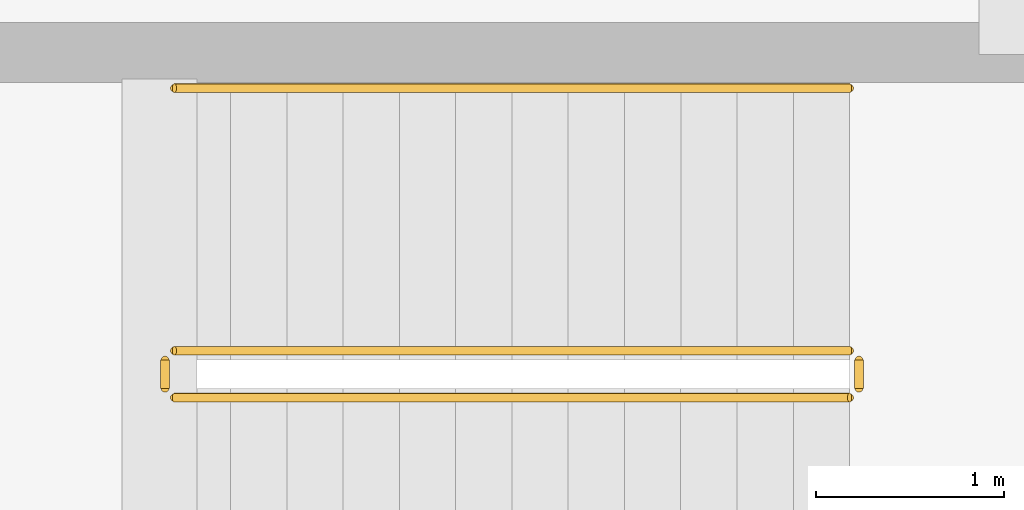
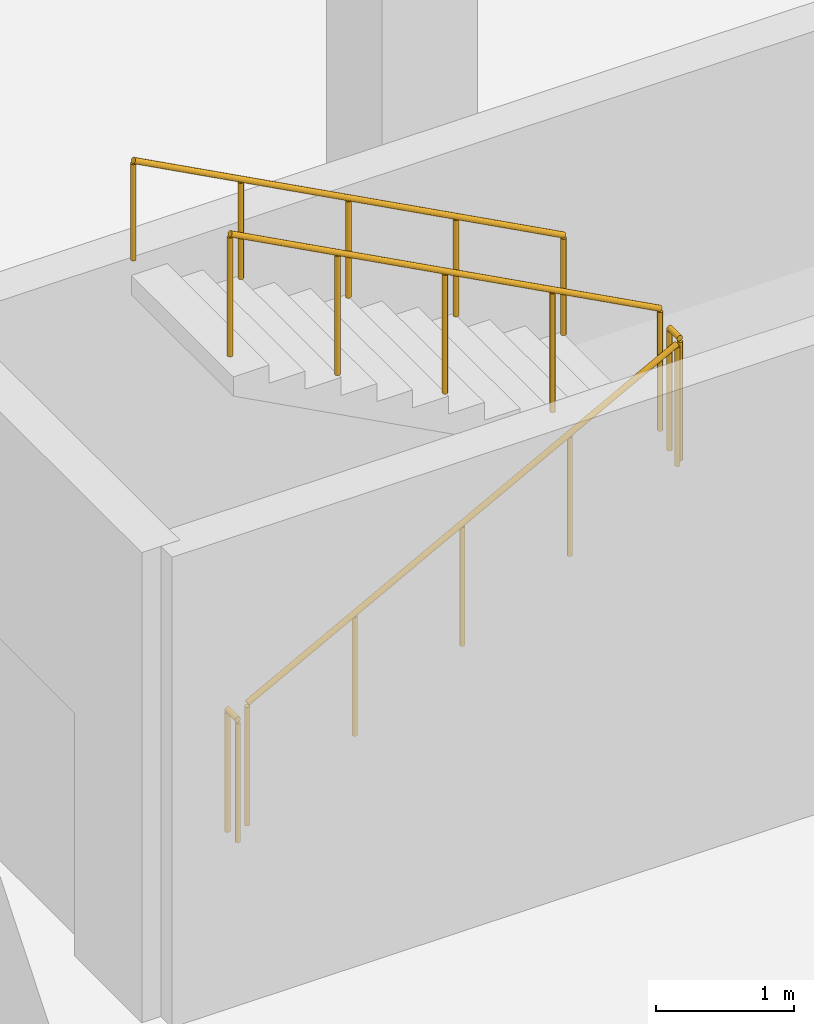
# One storey, part 176 of 177: 5 railings.
"""IFC4 building model written with IfcOpenShell, lengths in metres."""

import ifcopenshell
import ifcopenshell.guid

model = None  # the IFC model being written
_history = None  # IfcOwnerHistory: only IFC2X3 demands one
_inside = {}  # id of a spatial element -> (the spatial element, [elements in it])
_under = {}  # id of a project, library or spatial element -> (it, [spatial elements below it])
_declared = {}  # id of a project -> (the project, [libraries it declares])
_typed = {}  # id of a type object -> (the type object, [elements of that type])
_made_of = {}  # id of a material, layer set ... -> (it, [elements and type objects made of it])


def new_model(schema):
    """Start an empty IFC model of exactly this schema.

    Asked for "IFC4X3", IfcOpenShell would pick the latest addendum, in which some entities
    have other attributes; the version numbers below select the first issue.
    IFC2X3 requires an IfcOwnerHistory on every rooted entity: one is made here for all.
    """
    global model, _history
    if schema == "IFC4X3":
        model = ifcopenshell.file(schema_version=(4, 3, 0, 0))
    else:
        model = ifcopenshell.file(schema=schema)
    _inside.clear()
    _under.clear()
    _declared.clear()
    _typed.clear()
    _made_of.clear()
    _history = None
    if model.schema == "IFC2X3":
        org = make("IfcOrganization", Name="unknown")
        user = make(
            "IfcPersonAndOrganization",
            ThePerson=make("IfcPerson", FamilyName="unknown"),
            TheOrganization=org,
        )
        app = make(
            "IfcApplication",
            ApplicationDeveloper=org,
            Version="unknown",
            ApplicationFullName="unknown",
            ApplicationIdentifier="unknown",
        )
        _history = make(
            "IfcOwnerHistory",
            OwningUser=user,
            OwningApplication=app,
            ChangeAction="ADDED",
            CreationDate=0,
        )
    return model


def make(cls, **values):
    """One entity of the class cls with the attributes given. An attribute that is None is left unset."""
    return model.create_entity(
        cls, **{name: value for name, value in values.items() if value is not None}
    )


def rooted(cls, **values):
    """An entity with a GlobalId (a new one), such as an element, a storey or a relation."""
    return make(cls, GlobalId=ifcopenshell.guid.new(), OwnerHistory=_history, **values)


def si_unit(unit_type, name, prefix=None):
    """IfcSIUnit, for example si_unit("LENGTHUNIT", "METRE", prefix="MILLI")."""
    return make("IfcSIUnit", UnitType=unit_type, Prefix=prefix, Name=name)


def assignment(units):
    """IfcUnitAssignment: the units of a project."""
    return None if units is None else make("IfcUnitAssignment", Units=units)


def point(xyz):
    """IfcCartesianPoint."""
    return None if xyz is None else make("IfcCartesianPoint", Coordinates=xyz)


def direction(xyz):
    """IfcDirection."""
    return None if xyz is None else make("IfcDirection", DirectionRatios=xyz)


def frame(location, z_axis=None, x_axis=None):
    """IfcAxis2Placement3D, a coordinate frame: its origin and axes. An axis left out is left unset."""
    return make(
        "IfcAxis2Placement3D",
        Location=point(location),
        Axis=direction(z_axis),
        RefDirection=direction(x_axis),
    )


def frame_2d(location, x_axis=None):
    """IfcAxis2Placement2D, a coordinate frame in the plane: its origin and x axis."""
    return make(
        "IfcAxis2Placement2D", Location=point(location), RefDirection=direction(x_axis)
    )


def origin():
    """The frame at (0, 0, 0) with its axes left unset."""
    return frame((0.0, 0.0, 0.0))


def origin_2d():
    """The frame at (0, 0) in the plane with its x axis left unset."""
    return frame_2d((0.0, 0.0))


def place(relative_to, where):
    """IfcLocalPlacement: puts the frame where relative to a parent placement (None: the world)."""
    return make(
        "IfcLocalPlacement", PlacementRelTo=relative_to, RelativePlacement=where
    )


def context(
    kind, dimensions, precision=None, world=None, true_north=None, identifier=None
):
    """IfcGeometricRepresentationContext, for example the 3D "Model" context."""
    return make(
        "IfcGeometricRepresentationContext",
        ContextIdentifier=identifier,
        ContextType=kind,
        CoordinateSpaceDimension=dimensions,
        Precision=precision,
        WorldCoordinateSystem=world,
        TrueNorth=true_north,
    )


def subcontext(parent, identifier, kind, view, scale=None):
    """IfcGeometricRepresentationSubContext, for example "Body" below "Model"."""
    return make(
        "IfcGeometricRepresentationSubContext",
        ContextIdentifier=identifier,
        ContextType=kind,
        ParentContext=parent,
        TargetScale=scale,
        TargetView=view,
    )


def project(units=None, contexts=None):
    """IfcProject with its units and contexts."""
    return rooted(
        "IfcProject",
        Name="project",
        RepresentationContexts=contexts,
        UnitsInContext=assignment(units),
    )


def spatial(cls, under=None, at=None, **own):
    """A site, building, storey or space (cls), placed at a placement, below another one or the project."""
    s = rooted(cls, ObjectPlacement=at, **own)
    if under is not None:
        _under.setdefault(under.id(), (under, []))[1].append(s)
    return s


def profile(cls, at=None, kind="AREA", **sizes):
    """A parametric profile (cls). Its sizes go by their IFC names, for example OverallWidth=200.0."""
    return make(cls, ProfileType=kind, Position=at, **sizes)


def circle(**sizes):
    """IfcCircleProfileDef."""
    return profile("IfcCircleProfileDef", **sizes)


def extrude(swept, where, along, depth):
    """IfcExtrudedAreaSolid: the profile swept, set in the frame where, extruded along a direction by depth."""
    return make(
        "IfcExtrudedAreaSolid",
        SweptArea=swept,
        Position=where,
        ExtrudedDirection=direction(along),
        Depth=depth,
    )


def shape(context_of_items, identifier, shape_type, items):
    """IfcShapeRepresentation: the items that make up one representation, for example the "Body"."""
    return make(
        "IfcShapeRepresentation",
        ContextOfItems=context_of_items,
        RepresentationIdentifier=identifier,
        RepresentationType=shape_type,
        Items=items,
    )


def material(Name=None, Category=None):
    """IfcMaterial."""
    return make("IfcMaterial", Name=Name, Category=Category)


def made_of(thing, what):
    """Note that an element or type object is made of a material, layer set ...; save() writes the relation."""
    if what is not None:
        _made_of.setdefault(what.id(), (what, []))[1].append(thing)
    return thing


def type_object(cls, material=None, **own):
    """A type object (cls), such as IfcWallType, which elements share."""
    return made_of(rooted(cls, **own), material)


def element(
    cls,
    number,
    at=None,
    inside=None,
    cuts=None,
    type_object=None,
    material=None,
    context=None,
    identifier="Body",
    shape_type=None,
    held_by="IfcProductDefinitionShape",
    body=None,
    shapes=None,
    **own,
):
    """One element of the class cls, such as IfcWall. Its Tag is "e" and its number.

    at: its placement. inside: the storey or other place that contains it. cuts: it is an
    opening in that element (IfcRelVoidsElement). A single representation is given by context,
    identifier, shape_type and body (its items); several are given by shapes. held_by: the class
    of the entity that holds the representations. save() writes the other relations.
    """
    e = rooted(cls, Tag="e%d" % number, ObjectPlacement=at, **own)
    if body is not None:
        shapes = [shape(context, identifier, shape_type, body)]
    if shapes is not None:
        e.Representation = make(held_by, Representations=shapes)
    if inside is not None:
        _inside.setdefault(inside.id(), (inside, []))[1].append(e)
    if cuts is not None:
        rooted(
            "IfcRelVoidsElement", RelatingBuildingElement=cuts, RelatedOpeningElement=e
        )
    if type_object is not None:
        _typed.setdefault(type_object.id(), (type_object, []))[1].append(e)
    return made_of(e, material)


def aggregate(whole, parts):
    """IfcRelAggregates: a whole, such as a stair, and the parts it consists of."""
    return rooted("IfcRelAggregates", RelatingObject=whole, RelatedObjects=parts)


def save(model, path):
    """Write the relations noted so far, then the file.

    IfcRelAggregates (storeys below a building ...), IfcRelContainedInSpatialStructure (elements
    in a storey), IfcRelDefinesByType, IfcRelAssociatesMaterial and IfcRelDeclares: one each for
    every whole, place, type object, material and project.
    """
    for whole, parts in _under.values():
        aggregate(whole, parts)
    for where, things in _inside.values():
        rooted(
            "IfcRelContainedInSpatialStructure",
            RelatedElements=things,
            RelatingStructure=where,
        )
    for kind, things in _typed.values():
        rooted("IfcRelDefinesByType", RelatedObjects=things, RelatingType=kind)
    for what, things in _made_of.values():
        rooted("IfcRelAssociatesMaterial", RelatedObjects=things, RelatingMaterial=what)
    for by, libraries in _declared.values():
        rooted("IfcRelDeclares", RelatingContext=by, RelatedDefinitions=libraries)
    model.write(path)


model = new_model("IFC4")

# Units and contexts
model_context = context("Model", 3, precision=1e-05, world=origin(), true_north=direction((0.0, 1.0)))
body_context = subcontext(model_context, "Body", "Model", "MODEL_VIEW")
ifc_project = project(units=[si_unit("LENGTHUNIT", "METRE"), si_unit("AREAUNIT", "SQUARE_METRE"), si_unit("VOLUMEUNIT", "CUBIC_METRE"), si_unit("PLANEANGLEUNIT", "RADIAN"), si_unit("MASSUNIT", "GRAM", prefix="KILO"), si_unit("THERMODYNAMICTEMPERATUREUNIT", "KELVIN"), si_unit("POWERUNIT", "WATT")], contexts=[model_context])

# Site, building, storey
site_placement = place(None, origin())
site = spatial("IfcSite", under=ifc_project, at=site_placement, CompositionType="ELEMENT")
building_placement = place(site_placement, origin())
building = spatial("IfcBuilding", under=site, at=building_placement, Name="Mavoryth Pier Ferry Terminal", CompositionType="ELEMENT")
storey_placement = place(building_placement, frame((0.0, 0.0, 5.43994140625)))
storey = spatial("IfcBuildingStorey", under=building, at=storey_placement, Name="L01", CompositionType="ELEMENT", Elevation=5.43994140625)

# Railings
ifc_material_1 = material(Name="Painted Galvanised Steel Balustrade", Category="steel")
railing_type_1 = type_object("IfcRailingType", Name="Guard-Stair-Steel1100", PredefinedType="GUARDRAIL", material=ifc_material_1)
railing_1_placement = place(storey_placement, frame((129.89990234375, 58.449951171875, 0.16015625)))
element("IfcRailing", 1, at=railing_1_placement, inside=storey, type_object=railing_type_1, Name="L01 ST10 stair guard 1", PredefinedType="GUARDRAIL", context=body_context, shape_type="SweptSolid", body=[
    extrude(circle(Radius=0.02392578125, at=origin_2d()), frame((0.0, 0.0, 1.076171875), z_axis=(0.882366192074, 0.0, 0.470563389019), x_axis=(0.0, 1.0, 0.0)), (0.0, 0.0, 1.0), 4.080078125),
    extrude(circle(Radius=0.02099609375, at=origin_2d()), origin(), (0.0, 0.0, 1.0), 1.052001953125),
    extrude(circle(Radius=0.02099609375, at=origin_2d()), frame((0.89990234375, 0.0, 0.47998046875)), (0.0, 0.0, 1.0), 1.052001953125),
    extrude(circle(Radius=0.02099609375, at=origin_2d()), frame((1.800048828125, 0.0, 0.9599609375)), (0.0, 0.0, 1.0), 1.052001953125),
    extrude(circle(Radius=0.02099609375, at=origin_2d()), frame((2.7001953125, 0.0, 1.43994140625)), (0.0, 0.0, 1.0), 1.052001953125),
    extrude(circle(Radius=0.02099609375, at=origin_2d()), frame((3.60009765625, 0.0, 1.919921875)), (0.0, 0.0, 1.0), 1.052001953125),
])
railing_2_placement = place(storey_placement, frame((133.550048828125, 58.5, 2.080078125)))
element("IfcRailing", 2, at=railing_2_placement, inside=storey, type_object=railing_type_1, Name="L01 ST10 stair guard 2", PredefinedType="GUARDRAIL", context=body_context, shape_type="SweptSolid", body=[
    extrude(circle(Radius=0.02392578125, at=origin_2d()), frame((0.0, 0.0, 1.076171875), z_axis=(0.0, 1.0, 0.0), x_axis=(-1.0, 0.0, 0.0)), (0.0, 0.0, 1.0), 0.14990234375),
    extrude(circle(Radius=0.02099609375, at=origin_2d()), origin(), (0.0, 0.0, 1.0), 1.052001953125),
    extrude(circle(Radius=0.02099609375, at=origin_2d()), frame((0.0, 0.14990234375, 0.0)), (0.0, 0.0, 1.0), 1.052001953125),
])
railing_3_placement = place(storey_placement, frame((133.5, 58.699951171875, 2.239990234375)))
element("IfcRailing", 3, at=railing_3_placement, inside=storey, type_object=railing_type_1, Name="L01 ST10 stair guard 3", PredefinedType="GUARDRAIL", context=body_context, shape_type="SweptSolid", body=[
    extrude(circle(Radius=0.02392578125, at=origin_2d()), frame((0.0, 0.0, 1.076171875), z_axis=(-0.882341346394, 0.0, 0.470609974867), x_axis=(0.0, -1.0, 0.0)), (0.0, 0.0, 1.0), 4.080078125),
    extrude(circle(Radius=0.02099609375, at=origin_2d()), origin(), (0.0, 0.0, 1.0), 1.052001953125),
    extrude(circle(Radius=0.02099609375, at=origin_2d()), frame((-0.89990234375, 0.0, 0.47998046875)), (0.0, 0.0, 1.0), 1.052001953125),
    extrude(circle(Radius=0.02099609375, at=origin_2d()), frame((-1.800048828125, 0.0, 0.9599609375)), (0.0, 0.0, 1.0), 1.052001953125),
    extrude(circle(Radius=0.02099609375, at=origin_2d()), frame((-2.7001953125, 0.0, 1.440185546875)), (0.0, 0.0, 1.0), 1.052001953125),
    extrude(circle(Radius=0.02099609375, at=origin_2d()), frame((-3.60009765625, 0.0, 1.920166015625)), (0.0, 0.0, 1.0), 1.052001953125),
])
railing_4_placement = place(storey_placement, frame((129.85009765625, 58.5, 0.0)))
element("IfcRailing", 4, at=railing_4_placement, inside=storey, type_object=railing_type_1, Name="L01 ST10 stair guard 4", PredefinedType="GUARDRAIL", context=body_context, shape_type="SweptSolid", body=[
    extrude(circle(Radius=0.02392578125, at=origin_2d()), frame((0.0, 0.0, 1.076171875), z_axis=(0.0, 1.0, 0.0), x_axis=(-1.0, 0.0, 0.0)), (0.0, 0.0, 1.0), 0.14990234375),
    extrude(circle(Radius=0.02099609375, at=origin_2d()), origin(), (0.0, 0.0, 1.0), 1.052001953125),
    extrude(circle(Radius=0.02099609375, at=origin_2d()), frame((0.0, 0.14990234375, 0.0)), (0.0, 0.0, 1.0), 1.052001953125),
])
ifc_material_2 = material(Name="Brushed Stainless Steel Tubular Handrail", Category="steel")
railing_type_2 = type_object("IfcRailingType", Name="Handrail-Stair-SS900", PredefinedType="HANDRAIL", material=ifc_material_2)
railing_5_placement = place(storey_placement, frame((133.5, 60.10009765625, 2.239990234375)))
element("IfcRailing", 5, at=railing_5_placement, inside=storey, type_object=railing_type_2, Name="L01 ST10 stair handrail 2", PredefinedType="HANDRAIL", context=body_context, shape_type="SweptSolid", body=[
    extrude(circle(Radius=0.02392578125, at=origin_2d()), frame((0.0, 0.0, 0.8759765625), z_axis=(-0.882341346394, 0.0, 0.470609974867), x_axis=(0.0, -1.0, 0.0)), (0.0, 0.0, 1.0), 4.080078125),
    extrude(circle(Radius=0.02099609375, at=origin_2d()), origin(), (0.0, 0.0, 1.0), 0.851806640625),
    extrude(circle(Radius=0.02099609375, at=origin_2d()), frame((-0.89990234375, 0.0, 0.47998046875)), (0.0, 0.0, 1.0), 0.851806640625),
    extrude(circle(Radius=0.02099609375, at=origin_2d()), frame((-1.800048828125, 0.0, 0.9599609375)), (0.0, 0.0, 1.0), 0.851806640625),
    extrude(circle(Radius=0.02099609375, at=origin_2d()), frame((-2.7001953125, 0.0, 1.440185546875)), (0.0, 0.0, 1.0), 0.851806640625),
    extrude(circle(Radius=0.02099609375, at=origin_2d()), frame((-3.60009765625, 0.0, 1.920166015625)), (0.0, 0.0, 1.0), 0.851806640625),
])

save(model, "model.ifc")
